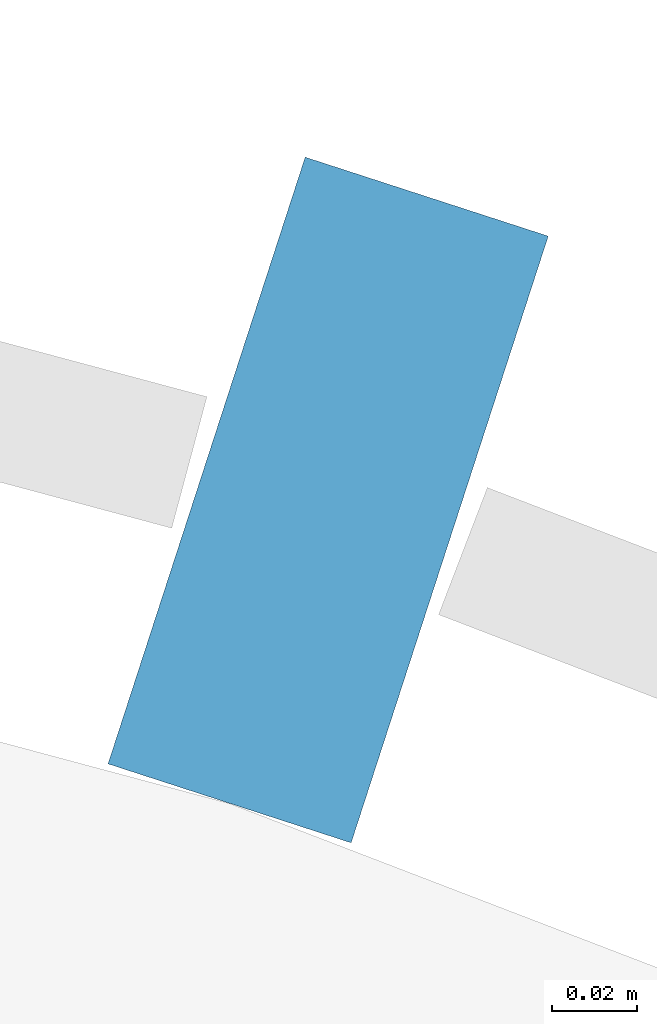
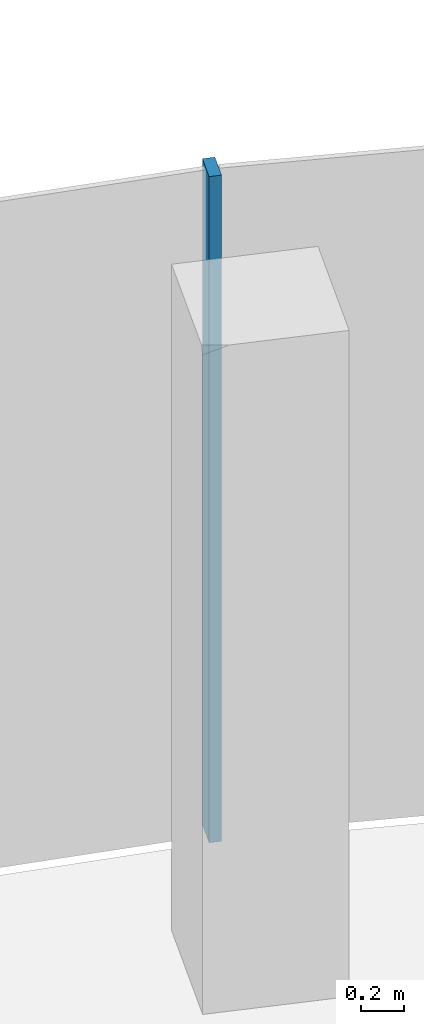
# One storey, part 10 of 18: 1 member, 1 element without a shape of its own.
"""IFC4 building model written with IfcOpenShell, lengths in metres."""

from ifc_helpers import new_model, si_unit, direction, frame, origin, origin_2d, place, context, subcontext, project, spatial, rectangle, extrude, material, layer, layer_set, material_profile, profile_set, type_object, element, aggregate, save


model = new_model("IFC4")

# Units and contexts
model_context = context("Model", 3, precision=1e-05, world=origin(), true_north=direction((0.0, 1.0)))
body_context = subcontext(model_context, "Body", "Model", "MODEL_VIEW")
ifc_project = project(units=[si_unit("LENGTHUNIT", "METRE"), si_unit("AREAUNIT", "SQUARE_METRE"), si_unit("VOLUMEUNIT", "CUBIC_METRE"), si_unit("PLANEANGLEUNIT", "RADIAN"), si_unit("MASSUNIT", "GRAM", prefix="KILO")], contexts=[model_context])

# Site, building, storey
site_placement = place(None, origin())
site = spatial("IfcSite", under=ifc_project, at=site_placement, CompositionType="ELEMENT")
building_placement = place(site_placement, origin())
building = spatial("IfcBuilding", under=site, at=building_placement, Name="Stone Belt Terrace Tower", CompositionType="ELEMENT")
storey_placement = place(building_placement, frame((0.0, 0.0, 261.800048828125)))
storey = spatial("IfcBuildingStorey", under=building, at=storey_placement, Name="L63", CompositionType="ELEMENT", Elevation=261.800048828125)

# Curtain wall, member
ifc_material = material(Name="Aluminium 6063-T6 anodised frame", Category="aluminium")
ifc_layer = layer(ifc_material, 0.14990234375)
ifc_layer_set = layer_set([ifc_layer], Name="CW-A unitised convex-face curtain wall")
curtain_wall_type = type_object("IfcCurtainWallType", Name="CW-A unitised convex-face curtain wall", PredefinedType="NOTDEFINED", material=ifc_layer_set)
curtain_wall_placement = place(storey_placement, origin())
curtain_wall = element("IfcCurtainWall", 1, at=curtain_wall_placement, inside=storey, type_object=curtain_wall_type, Name="CW-A convex face L63", PredefinedType="NOTDEFINED")
ifc_material_profile = material_profile(ifc_material, rectangle(XDim=0.14990234375, YDim=0.06005859375, at=origin_2d()), Name="Aluminium 6063-T6 60x150")
ifc_profile_set = profile_set([ifc_material_profile], Name="Aluminium 6063-T6 anodised frame")
member_type = type_object("IfcMemberType", Name="CW-A mullion 60 x 150", PredefinedType="MULLION", material=ifc_profile_set)
member_placement = place(storey_placement, frame((20.57275390625, 63.316650390625, 0.0), z_axis=(0.0, 0.0, 1.0), x_axis=(-0.309016994375, -0.951056516295, 0.0)))
member = element("IfcMember", 2, at=member_placement, type_object=member_type, Name="CW-A mullion 5", PredefinedType="MULLION", context=body_context, shape_type="SweptSolid", body=[
    extrude(rectangle(XDim=0.14990234375, YDim=0.06005859375, at=origin_2d()), origin(), (0.0, 0.0, 1.0), 3.800048828125),
])
aggregate(curtain_wall, [member])

save(model, "model.ifc")
